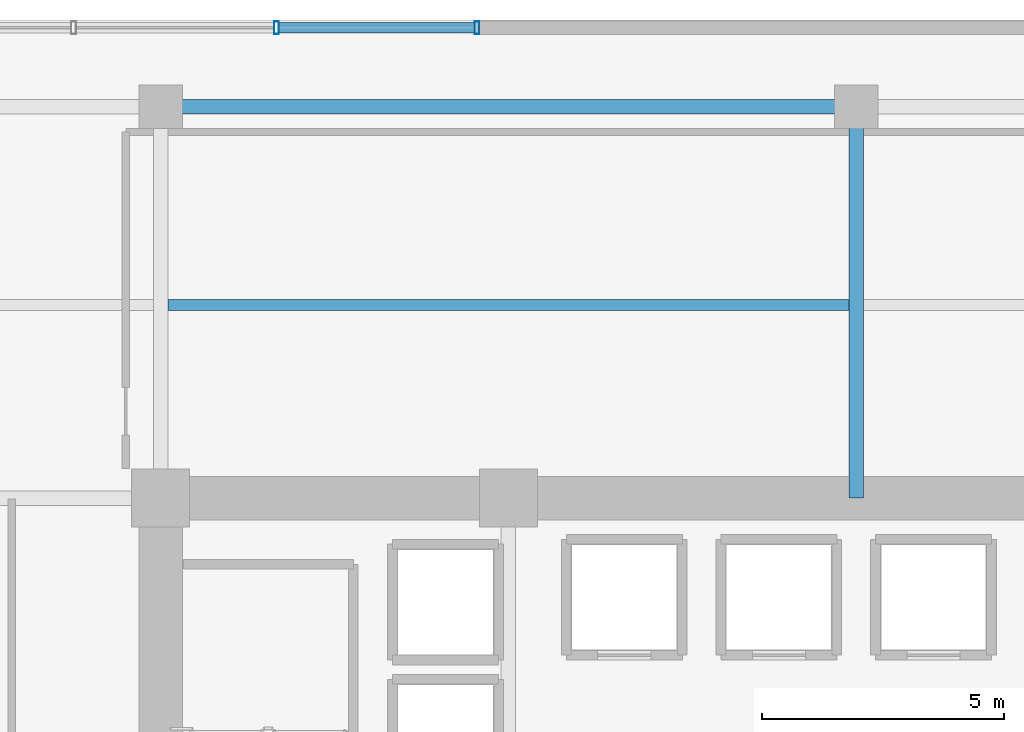
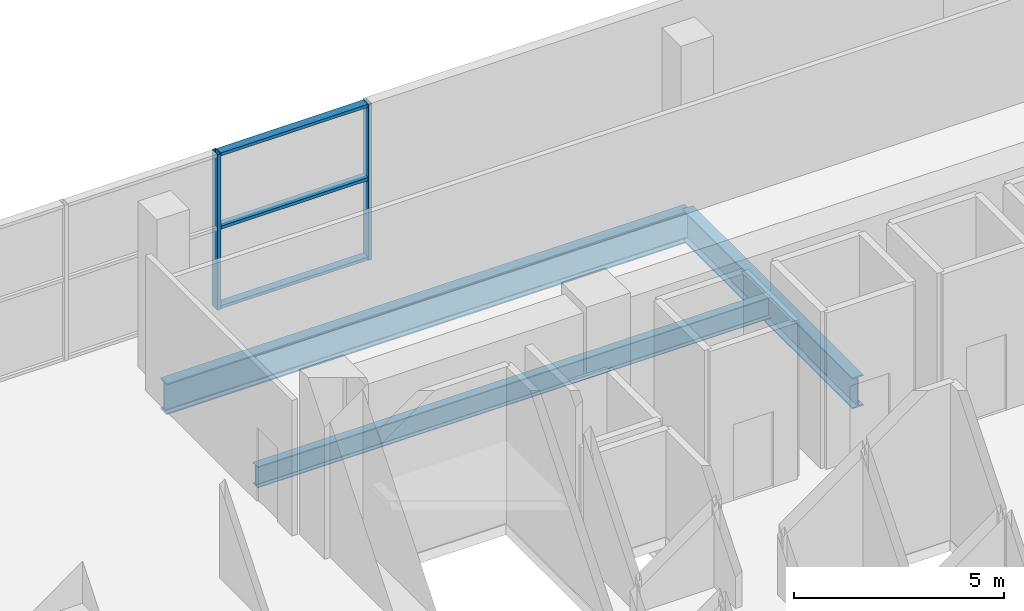
# One storey, part 10 of 22: 5 members, 3 beams, 1 element without a shape of its own.
"""IFC4 building model written with IfcOpenShell, lengths in metres."""

from ifc_helpers import new_model, si_unit, direction, frame, origin, origin_2d, place, context, subcontext, project, spatial, hollow_rectangle, i_section, extrude, source, transform, mapped, material, layer, layer_set, material_profile, profile_set, type_object, element, aggregate, save


model = new_model("IFC4")

# Units and contexts
model_context = context("Model", 3, precision=1e-05, world=origin(), true_north=direction((0.0, 1.0)))
body_context = subcontext(model_context, "Body", "Model", "MODEL_VIEW")
ifc_project = project(units=[si_unit("LENGTHUNIT", "METRE"), si_unit("AREAUNIT", "SQUARE_METRE"), si_unit("VOLUMEUNIT", "CUBIC_METRE"), si_unit("PLANEANGLEUNIT", "RADIAN"), si_unit("MASSUNIT", "GRAM", prefix="KILO")], contexts=[model_context])

# Site, building, storey
site_placement = place(None, origin())
site = spatial("IfcSite", under=ifc_project, at=site_placement, CompositionType="ELEMENT")
building_placement = place(site_placement, origin())
building = spatial("IfcBuilding", under=site, at=building_placement, Name="Zarnakvel Exchange Tower", CompositionType="ELEMENT")
storey_placement = place(building_placement, frame((0.0, 0.0, 22.60009765625)))
storey = spatial("IfcBuildingStorey", under=building, at=storey_placement, Name="L05", CompositionType="ELEMENT", Elevation=22.60009765625)

# Beams
ifc_material_1 = material(Name="Steel S355", Category="steel")
ifc_material_profile_1 = material_profile(ifc_material_1, i_section(OverallWidth=0.230224609375, OverallDepth=0.6171875, WebThickness=0.01318359375, FlangeThickness=0.022216796875, FilletRadius=0.0126953125, at=origin_2d()))
ifc_profile_set_1 = profile_set([ifc_material_profile_1], Name="Steel S355")
beam_type_1 = type_object("IfcBeamType", Name="B-02", PredefinedType="JOIST", material=ifc_profile_set_1)
beam_1_placement = place(storey_placement, frame((-14.25, 17.5, -0.608642578125), z_axis=(1.0, 0.0, 0.0), x_axis=(0.0, 1.0, 0.0)))
element("IfcBeam", 1, at=beam_1_placement, inside=storey, type_object=beam_type_1, Name="L05 North Bay Secondary Floor Joist", PredefinedType="JOIST", context=body_context, shape_type="SweptSolid", body=[
    extrude(i_section(OverallWidth=0.230224609375, OverallDepth=0.6171875, WebThickness=0.01318359375, FlangeThickness=0.022216796875, FilletRadius=0.0126953125, at=origin_2d()), origin(), (0.0, 0.0, 1.0), 14.10009765625),
])
ifc_material_profile_2 = material_profile(ifc_material_1, i_section(OverallWidth=0.300048828125, OverallDepth=0.89990234375, WebThickness=0.0185546875, FlangeThickness=0.034912109375, FilletRadius=0.030029296875, at=origin_2d()))
ifc_profile_set_2 = profile_set([ifc_material_profile_2], Name="Steel S355")
beam_type_2 = type_object("IfcBeamType", Name="G-01", PredefinedType="BEAM", material=ifc_profile_set_2)
beam_2_placement = place(storey_placement, frame((-14.39990234375, 21.60009765625, -0.75), z_axis=(1.0, 0.0, 0.0), x_axis=(0.0, 1.0, 0.0)))
element("IfcBeam", 2, at=beam_2_placement, inside=storey, type_object=beam_type_2, Name="L05 Primary E-W Girder Y=+21.6", PredefinedType="BEAM", context=body_context, shape_type="SweptSolid", body=[
    extrude(i_section(OverallWidth=0.300048828125, OverallDepth=0.89990234375, WebThickness=0.0185546875, FlangeThickness=0.034912109375, FilletRadius=0.030029296875, at=origin_2d()), origin(), (0.0, 0.0, 1.0), 14.39990234375),
])
beam_3_placement = place(storey_placement, frame((0.0, 13.5, -0.75), z_axis=(0.0, 1.0, 0.0), x_axis=(-1.0, 0.0, 0.0)))
element("IfcBeam", 3, at=beam_3_placement, inside=storey, type_object=beam_type_2, Name="L05 Primary N-S Girder X=+0.0 North", PredefinedType="BEAM", context=body_context, shape_type="SweptSolid", body=[
    extrude(i_section(OverallWidth=0.300048828125, OverallDepth=0.89990234375, WebThickness=0.0185546875, FlangeThickness=0.034912109375, FilletRadius=0.030029296875, at=origin_2d()), origin(), (0.0, 0.0, 1.0), 8.10009765625),
])

# Curtain wall, members
ifc_material_2 = material(Name="Architectural Bronze Anodised Aluminium", Category="aluminium")
ifc_layer = layer(ifc_material_2, 0.260009765625)
ifc_layer_set = layer_set([ifc_layer], Name="Architectural Bronze Anodised Aluminium")
curtain_wall_type = type_object("IfcCurtainWallType", Name="CW-01", PredefinedType="NOTDEFINED", material=ifc_layer_set)
curtain_wall_placement = place(storey_placement, origin())
curtain_wall = element("IfcCurtainWall", 4, at=curtain_wall_placement, inside=storey, type_object=curtain_wall_type, Name="L05 Curtain Wall CW-L05-N1 (CW-01)", PredefinedType="NOTDEFINED")
ifc_material_profile_3 = material_profile(ifc_material_2, hollow_rectangle(XDim=0.219970703125, YDim=0.090087890625, WallThickness=0.0048828125, at=origin_2d()))
ifc_profile_set_3 = profile_set([ifc_material_profile_3], Name="Architectural Bronze Anodised Aluminium")
member_type_1 = type_object("IfcMemberType", Name="CWT-01", PredefinedType="USERDEFINED", material=ifc_profile_set_3)
shared_shape_1 = source(origin(), body_context, "Body", "SweptSolid", [
    extrude(hollow_rectangle(XDim=0.219970703125, YDim=0.090087890625, WallThickness=0.0048828125, at=origin_2d()), origin(), (0.0, 0.0, 1.0), 4.050048828125),
])
member_1_placement = place(storey_placement, frame((-11.949951171875, 23.239990234375, 0.044921875), z_axis=(1.0, 0.0, 0.0), x_axis=(0.0, 1.0, 0.0)))
member_1 = element("IfcMember", 5, at=member_1_placement, type_object=member_type_1, Name="CW-01 transom 3.1", ObjectType="TRANSOM", PredefinedType="USERDEFINED", context=body_context, shape_type="MappedRepresentation", body=[
    mapped(shared_shape_1, transform((0.0, 0.0, 0.0), x_axis=(1.0, 0.0, 0.0), y_axis=(0.0, 1.0, 0.0), z_axis=(0.0, 0.0, 1.0), scale=1.0)),
])
member_2_placement = place(storey_placement, frame((-11.949951171875, 23.239990234375, 2.35546875), z_axis=(1.0, 0.0, 0.0), x_axis=(0.0, 1.0, 0.0)))
member_2 = element("IfcMember", 6, at=member_2_placement, type_object=member_type_1, Name="CW-01 transom 3.2", ObjectType="TRANSOM", PredefinedType="USERDEFINED", context=body_context, shape_type="MappedRepresentation", body=[
    mapped(shared_shape_1, transform((0.0, 0.0, 0.0), x_axis=(1.0, 0.0, 0.0), y_axis=(0.0, 1.0, 0.0), z_axis=(0.0, 0.0, 1.0), scale=1.0)),
])
member_3_placement = place(storey_placement, frame((-11.949951171875, 23.239990234375, 4.48486328125), z_axis=(1.0, 0.0, 0.0), x_axis=(0.0, 1.0, 0.0)))
member_3 = element("IfcMember", 7, at=member_3_placement, type_object=member_type_1, Name="CW-01 transom 3.3", ObjectType="TRANSOM", PredefinedType="USERDEFINED", context=body_context, shape_type="MappedRepresentation", body=[
    mapped(shared_shape_1, transform((0.0, 0.0, 0.0), x_axis=(1.0, 0.0, 0.0), y_axis=(0.0, 1.0, 0.0), z_axis=(0.0, 0.0, 1.0), scale=1.0)),
])
ifc_material_profile_4 = material_profile(ifc_material_2, hollow_rectangle(XDim=0.260009765625, YDim=0.10009765625, WallThickness=0.006103515625, at=origin_2d()))
ifc_profile_set_4 = profile_set([ifc_material_profile_4], Name="Architectural Bronze Anodised Aluminium")
member_type_2 = type_object("IfcMemberType", Name="CWM-01", PredefinedType="MULLION", material=ifc_profile_set_4)
shared_shape_2 = source(origin(), body_context, "Body", "SweptSolid", [
    extrude(hollow_rectangle(XDim=0.260009765625, YDim=0.10009765625, WallThickness=0.006103515625, at=origin_2d()), origin(), (0.0, 0.0, 1.0), 4.52978515625),
])
member_4_placement = place(storey_placement, frame((-12.0, 23.239990234375, 0.0), z_axis=(0.0, 0.0, 1.0), x_axis=(0.0, 1.0, 0.0)))
member_4 = element("IfcMember", 8, at=member_4_placement, type_object=member_type_2, Name="CW-01 mullion 3", PredefinedType="MULLION", context=body_context, shape_type="MappedRepresentation", body=[
    mapped(shared_shape_2, transform((0.0, 0.0, 0.0), x_axis=(1.0, 0.0, 0.0), y_axis=(0.0, 1.0, 0.0), z_axis=(0.0, 0.0, 1.0), scale=1.0)),
])
member_5_placement = place(storey_placement, frame((-7.85009765625, 23.239990234375, 0.0), z_axis=(0.0, 0.0, 1.0), x_axis=(0.0, 1.0, 0.0)))
member_5 = element("IfcMember", 9, at=member_5_placement, type_object=member_type_2, Name="CW-01 mullion 4", PredefinedType="MULLION", context=body_context, shape_type="MappedRepresentation", body=[
    mapped(shared_shape_2, transform((0.0, 0.0, 0.0), x_axis=(1.0, 0.0, 0.0), y_axis=(0.0, 1.0, 0.0), z_axis=(0.0, 0.0, 1.0), scale=1.0)),
])
aggregate(curtain_wall, [member_4, member_5, member_1, member_2, member_3])

save(model, "model.ifc")
